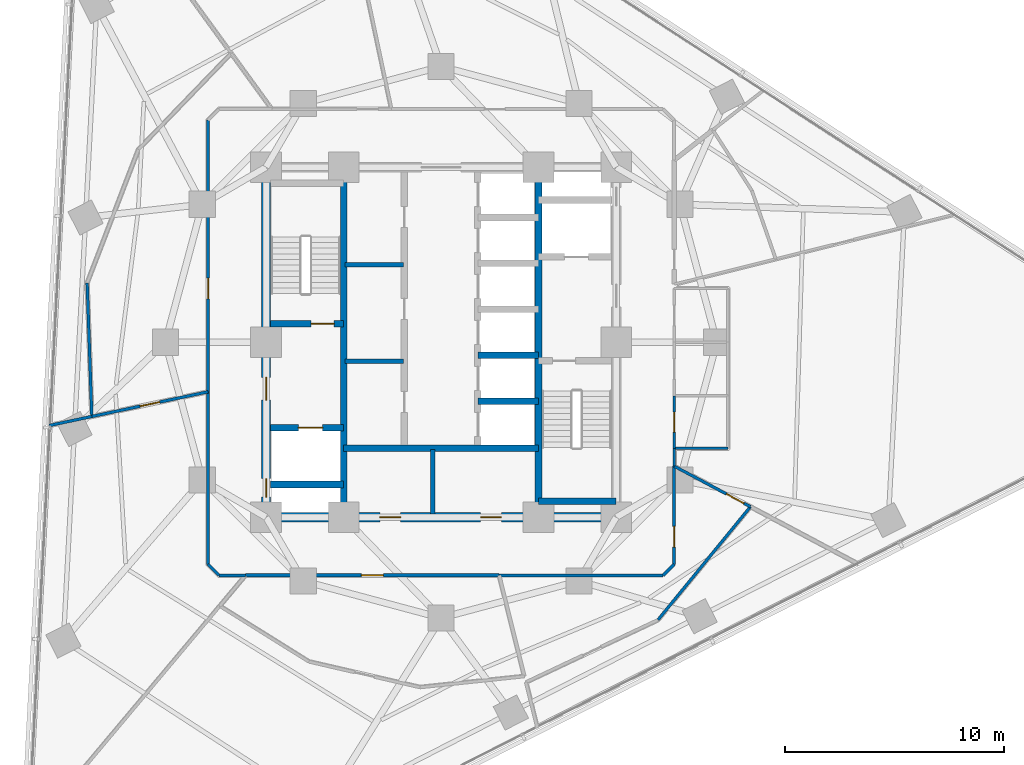
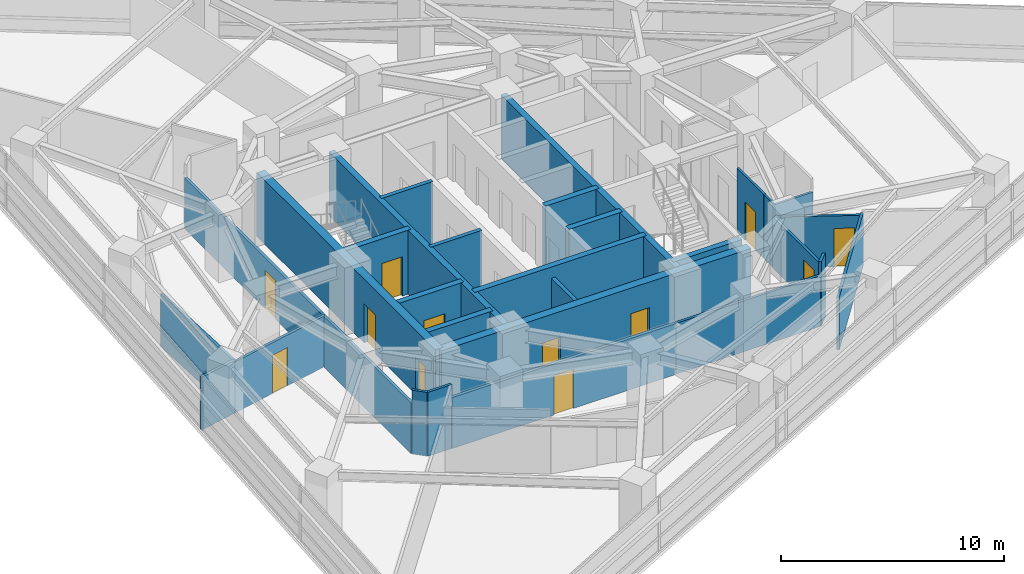
# One storey, part 8 of 14: 30 walls, 12 doors, 12 openings.
"""IFC4 building model written with IfcOpenShell, lengths in metres."""

from ifc_helpers import new_model, si_unit, direction, frame, frame_2d, origin, place, context, subcontext, project, spatial, rectangle, extrude, material, layer, layer_set, type_object, element, fill, save


model = new_model("IFC4")

# Units and contexts
model_context = context("Model", 3, precision=1e-05, world=origin(), true_north=direction((0.0, 1.0)))
body_context = subcontext(model_context, "Body", "Model", "MODEL_VIEW")
ifc_project = project(units=[si_unit("LENGTHUNIT", "METRE"), si_unit("AREAUNIT", "SQUARE_METRE"), si_unit("VOLUMEUNIT", "CUBIC_METRE"), si_unit("PLANEANGLEUNIT", "RADIAN"), si_unit("MASSUNIT", "GRAM", prefix="KILO")], contexts=[model_context])

# Site, building, storey
site_placement = place(None, origin())
site = spatial("IfcSite", under=ifc_project, at=site_placement, CompositionType="ELEMENT")
building_placement = place(site_placement, origin())
building = spatial("IfcBuilding", under=site, at=building_placement, Name="Terralouvre Media Tower", CompositionType="ELEMENT")
storey_placement = place(building_placement, frame((0.0, 0.0, 127.300048828125)))
storey = spatial("IfcBuildingStorey", under=building, at=storey_placement, Name="L32", CompositionType="ELEMENT", Elevation=127.300048828125)

# Walls
ifc_material_1 = material(Name="Concrete C50/60", Category="concrete")
ifc_layer_1 = layer(ifc_material_1, 0.300048828125, Name="Core Internal Shaft Wall CW-300")
ifc_layer_set_1 = layer_set([ifc_layer_1], Name="Concrete C50/60")
wall_type_1 = type_object("IfcWallType", Name="Core Internal Shaft Wall CW-300", PredefinedType="SHEAR", material=ifc_layer_set_1)
for number, where, z_axis, x_axis, name in (
    (1, (-4.449951171875, -7.7900390625, 0.0), (0.0, 0.0, 1.0), (0.0, 1.0, 0.0), "L32 Core Shaft Wall SPW"),
    (2, (4.449951171875, -7.7900390625, 0.0), (0.0, 0.0, 1.0), (0.0, 1.0, 0.0), "L32 Core Shaft Wall SPE"),
):
    element("IfcWall", number, at=place(storey_placement, frame(where, z_axis=z_axis, x_axis=x_axis)), inside=storey, type_object=wall_type_1, Name=name, PredefinedType="SHEAR", context=body_context, shape_type="SweptSolid", body=[
        extrude(rectangle(XDim=15.580078125, YDim=0.300048828125, at=frame_2d((7.7900390625, 0.0))), origin(), (0.0, 0.0, 1.0), 3.5),
    ])

# Wall, opening, door
wall_1_placement = place(storey_placement, frame((-7.7900390625, 0.85009765625, 0.0), z_axis=(0.0, 0.0, 1.0), x_axis=(1.0, 0.0, 0.0)))
wall_1 = element("IfcWall", 3, at=wall_1_placement, inside=storey, type_object=wall_type_1, Name="L32 Core Shaft Wall ST1D", PredefinedType="SHEAR", context=body_context, shape_type="SweptSolid", body=[
    extrude(rectangle(XDim=3.340087890625, YDim=0.300048828125, at=frame_2d((1.669921875, 0.0))), origin(), (0.0, 0.0, 1.0), 3.5),
])
opening_1_placement = place(wall_1_placement, frame((1.85009765625, 0.0, 0.0)))
opening_1 = element("IfcOpeningElement", 4, at=opening_1_placement, cuts=wall_1, Name="Opening FD-01-105X215", PredefinedType="OPENING", context=body_context, shape_type="SweptSolid", body=[
    extrude(rectangle(XDim=1.050048828125, YDim=2.14990234375, at=frame_2d((0.52490234375, 1.074951171875))), frame((0.0, 0.159912109375, 0.0), z_axis=(0.0, -1.0, 0.0), x_axis=(1.0, 0.0, 0.0)), (0.0, 0.0, 1.0), 0.320068359375),
])
ifc_material_2 = material(Name="Galvanised steel fire-resisting leaf", Category="steel")
door_type_1 = type_object("IfcDoorType", Name="Stair and Firefighting Lobby Fire Door FD-01 (1050x2150)", OperationType="NOTDEFINED", PredefinedType="DOOR", material=ifc_material_2)
door_1_placement = place(opening_1_placement, origin())
door_1 = element("IfcDoor", 5, at=door_1_placement, inside=storey, type_object=door_type_1, Name="L32 ST-01 Exit Stair Door", OperationType="SINGLE_SWING_LEFT", OverallHeight=2.14990234375, OverallWidth=1.050048828125, PredefinedType="DOOR", context=body_context, shape_type="SweptSolid", body=[
    extrude(rectangle(XDim=1.050048828125, YDim=2.14990234375, at=frame_2d((0.52490234375, 1.074951171875))), frame((0.0, 0.02490234375, 0.0), z_axis=(0.0, -1.0, 0.0), x_axis=(1.0, 0.0, 0.0)), (0.0, 0.0, 1.0), 0.050048828125),
])
fill(opening_1, door_1)

# Wall
wall_2_placement = place(storey_placement, frame((4.449951171875, -7.260009765625, 0.0), z_axis=(0.0, 0.0, 1.0), x_axis=(1.0, 0.0, 0.0)))
element("IfcWall", 6, at=wall_2_placement, inside=storey, type_object=wall_type_1, Name="L32 Core Shaft Wall ST2F", PredefinedType="SHEAR", context=body_context, shape_type="SweptSolid", body=[
    extrude(rectangle(XDim=3.550048828125, YDim=0.300048828125, at=frame_2d((1.77490234375, 0.0))), origin(), (0.0, 0.0, 1.0), 3.5),
])

# Wall, opening, door
wall_3_placement = place(storey_placement, frame((-7.7900390625, -3.89990234375, 0.0), z_axis=(0.0, 0.0, 1.0), x_axis=(1.0, 0.0, 0.0)))
wall_3 = element("IfcWall", 7, at=wall_3_placement, inside=storey, type_object=wall_type_1, Name="L32 Core Shaft Wall FF1N", PredefinedType="SHEAR", context=body_context, shape_type="SweptSolid", body=[
    extrude(rectangle(XDim=3.340087890625, YDim=0.300048828125, at=frame_2d((1.669921875, 0.0))), origin(), (0.0, 0.0, 1.0), 3.5),
])
opening_2_placement = place(wall_3_placement, frame((1.27001953125, 0.0, 0.0)))
opening_2 = element("IfcOpeningElement", 8, at=opening_2_placement, cuts=wall_3, Name="Opening LD-FF", PredefinedType="OPENING", context=body_context, shape_type="SweptSolid", body=[
    extrude(rectangle(XDim=1.10009765625, YDim=2.10009765625, at=frame_2d((0.550048828125, 1.050048828125))), frame((0.0, 0.159912109375, 0.0), z_axis=(0.0, -1.0, 0.0), x_axis=(1.0, 0.0, 0.0)), (0.0, 0.0, 1.0), 0.320068359375),
])
ifc_material_3 = material(Name="Stainless steel 316 handrail and balustrade", Category="steel")
door_type_2 = type_object("IfcDoorType", Name="Firefighting Lift Sliding Landing Door LD-FF", OperationType="SLIDING_TO_LEFT", PredefinedType="DOOR", material=ifc_material_3)
door_2_placement = place(opening_2_placement, origin())
door_2 = element("IfcDoor", 9, at=door_2_placement, inside=storey, type_object=door_type_2, Name="L32 Firefighting Lift FFL-01 Landing Door", OperationType="SLIDING_TO_LEFT", OverallHeight=2.10009765625, OverallWidth=1.10009765625, PredefinedType="DOOR", context=body_context, shape_type="SweptSolid", body=[
    extrude(rectangle(XDim=1.10009765625, YDim=2.10009765625, at=frame_2d((0.550048828125, 1.050048828125))), frame((0.0, 0.02490234375, 0.0), z_axis=(0.0, -1.0, 0.0), x_axis=(1.0, 0.0, 0.0)), (0.0, 0.0, 1.0), 0.050048828125),
])
fill(opening_2, door_2)

# Walls
wall_4_placement = place(storey_placement, frame((-7.7900390625, -6.5, 0.0), z_axis=(0.0, 0.0, 1.0), x_axis=(1.0, 0.0, 0.0)))
element("IfcWall", 10, at=wall_4_placement, inside=storey, type_object=wall_type_1, Name="L32 Core Shaft Wall FF1S", PredefinedType="SHEAR", context=body_context, shape_type="SweptSolid", body=[
    extrude(rectangle(XDim=3.340087890625, YDim=0.300048828125, at=frame_2d((1.669921875, 0.0))), origin(), (0.0, 0.0, 1.0), 3.5),
])
wall_5_placement = place(storey_placement, frame((-4.449951171875, -4.85009765625, 0.0), z_axis=(0.0, 0.0, 1.0), x_axis=(1.0, 0.0, 0.0)))
element("IfcWall", 11, at=wall_5_placement, inside=storey, type_object=wall_type_1, Name="L32 Core Shaft Wall CSBN", PredefinedType="SHEAR", context=body_context, shape_type="SweptSolid", body=[
    extrude(rectangle(XDim=8.89990234375, YDim=0.300048828125, at=frame_2d((4.449951171875, 0.0))), origin(), (0.0, 0.0, 1.0), 3.5),
])
for number, where, z_axis, x_axis, name in (
    (12, (1.679931640625, -2.699951171875, 0.0), (0.0, 0.0, 1.0), (1.0, 0.0, 0.0), "L32 Core Shaft Wall PLHD1"),
    (13, (1.679931640625, -0.60009765625, 0.0), (0.0, 0.0, 1.0), (1.0, 0.0, 0.0), "L32 Core Shaft Wall PLHD2"),
):
    element("IfcWall", number, at=place(storey_placement, frame(where, z_axis=z_axis, x_axis=x_axis)), inside=storey, type_object=wall_type_1, Name=name, PredefinedType="SHEAR", context=body_context, shape_type="SweptSolid", body=[
        extrude(rectangle(XDim=2.77001953125, YDim=0.300048828125, at=frame_2d((1.385009765625, 0.0))), origin(), (0.0, 0.0, 1.0), 3.5),
    ])

# Wall, openings, doors
ifc_material_4 = material(Name="Concrete C60/75", Category="concrete")
ifc_layer_2 = layer(ifc_material_4, 0.419921875, Name="Core Reinforced Concrete Shear Wall CW-420")
ifc_layer_set_2 = layer_set([ifc_layer_2], Name="Concrete C60/75")
wall_type_2 = type_object("IfcWallType", Name="Core Reinforced Concrete Shear Wall CW-420", PredefinedType="SHEAR", material=ifc_layer_set_2)
wall_6_placement = place(storey_placement, frame((-8.0, -8.0, 0.0), z_axis=(0.0, 0.0, 1.0), x_axis=(0.0, 1.0, 0.0)))
wall_6 = element("IfcWall", 14, at=wall_6_placement, inside=storey, type_object=wall_type_2, Name="L32 W Core Shear Wall", PredefinedType="SHEAR", context=body_context, shape_type="SweptSolid", body=[
    extrude(rectangle(XDim=16.0, YDim=0.419921875, at=frame_2d((8.0, 0.0))), origin(), (0.0, 0.0, 1.0), 3.5),
])
opening_3_placement = place(wall_6_placement, frame((0.921630859375, 0.0, 0.0)))
opening_3 = element("IfcOpeningElement", 15, at=opening_3_placement, cuts=wall_6, Name="Opening TD-R1", PredefinedType="OPENING", context=body_context, shape_type="SweptSolid", body=[
    extrude(rectangle(XDim=0.85009765625, YDim=2.02001953125, at=frame_2d((0.425048828125, 1.010009765625))), frame((0.0, 0.219970703125, 0.0), z_axis=(0.0, -1.0, 0.0), x_axis=(1.0, 0.0, 0.0)), (0.0, 0.0, 1.0), 0.43994140625),
])
opening_4_placement = place(wall_6_placement, frame((5.35009765625, 0.0, 0.0)))
opening_4 = element("IfcOpeningElement", 16, at=opening_4_placement, cuts=wall_6, Name="Opening FD-01-105X215", PredefinedType="OPENING", context=body_context, shape_type="SweptSolid", body=[
    extrude(rectangle(XDim=1.050048828125, YDim=2.14990234375, at=frame_2d((0.52490234375, 1.074951171875))), frame((0.0, 0.219970703125, 0.0), z_axis=(0.0, -1.0, 0.0), x_axis=(1.0, 0.0, 0.0)), (0.0, 0.0, 1.0), 0.43994140625),
])
ifc_material_5 = material(Name="Galvanised steel fire-resisting leaf", Category="steel")
door_type_3 = type_object("IfcDoorType", Name="Riser Inspection Access Trapdoor TD-R1", OperationType="NOTDEFINED", PredefinedType="TRAPDOOR", material=ifc_material_5)
door_3_placement = place(opening_3_placement, origin())
door_3 = element("IfcDoor", 17, at=door_3_placement, inside=storey, type_object=door_type_3, Name="L32 Wet Riser Access Trapdoor", OperationType="SINGLE_SWING_LEFT", OverallHeight=2.02001953125, OverallWidth=0.85009765625, PredefinedType="TRAPDOOR", context=body_context, shape_type="SweptSolid", body=[
    extrude(rectangle(XDim=0.85009765625, YDim=2.02001953125, at=frame_2d((0.425048828125, 1.010009765625))), frame((0.0, 0.02490234375, 0.0), z_axis=(0.0, -1.0, 0.0), x_axis=(1.0, 0.0, 0.0)), (0.0, 0.0, 1.0), 0.050048828125),
])
fill(opening_3, door_3)
door_4_placement = place(opening_4_placement, origin())
door_4 = element("IfcDoor", 18, at=door_4_placement, inside=storey, type_object=door_type_1, Name="L32 West Firefighting Lobby Entry Door", OperationType="SINGLE_SWING_RIGHT", OverallHeight=2.14990234375, OverallWidth=1.050048828125, PredefinedType="DOOR", context=body_context, shape_type="SweptSolid", body=[
    extrude(rectangle(XDim=1.050048828125, YDim=2.14990234375, at=frame_2d((0.52490234375, 1.074951171875))), frame((0.0, 0.02490234375, 0.0), z_axis=(0.0, -1.0, 0.0), x_axis=(1.0, 0.0, 0.0)), (0.0, 0.0, 1.0), 0.050048828125),
])
fill(opening_4, door_4)

wall_7_placement = place(storey_placement, frame((-8.0, -8.0, 0.0), z_axis=(0.0, 0.0, 1.0), x_axis=(1.0, 0.0, 0.0)))
wall_7 = element("IfcWall", 19, at=wall_7_placement, inside=storey, type_object=wall_type_2, Name="L32 S Core Shear Wall", PredefinedType="SHEAR", context=body_context, shape_type="SweptSolid", body=[
    extrude(rectangle(XDim=16.0, YDim=0.419921875, at=frame_2d((8.0, 0.0))), origin(), (0.0, 0.0, 1.0), 3.5),
])
opening_5_placement = place(wall_7_placement, frame((5.199951171875, 0.0, 0.0)))
opening_5 = element("IfcOpeningElement", 20, at=opening_5_placement, cuts=wall_7, Name="Opening FD-02-95X210", PredefinedType="OPENING", context=body_context, shape_type="SweptSolid", body=[
    extrude(rectangle(XDim=0.949951171875, YDim=2.10009765625, at=frame_2d((0.47509765625, 1.050048828125))), frame((0.0, 0.219970703125, 0.0), z_axis=(0.0, -1.0, 0.0), x_axis=(1.0, 0.0, 0.0)), (0.0, 0.0, 1.0), 0.43994140625),
])
opening_6_placement = place(wall_7_placement, frame((9.800048828125, 0.0, 0.0)))
opening_6 = element("IfcOpeningElement", 21, at=opening_6_placement, cuts=wall_7, Name="Opening FD-02-95X210", PredefinedType="OPENING", context=body_context, shape_type="SweptSolid", body=[
    extrude(rectangle(XDim=0.949951171875, YDim=2.10009765625, at=frame_2d((0.47509765625, 1.050048828125))), frame((0.0, 0.219970703125, 0.0), z_axis=(0.0, -1.0, 0.0), x_axis=(1.0, 0.0, 0.0)), (0.0, 0.0, 1.0), 0.43994140625),
])
ifc_material_6 = material(Name="Galvanised steel fire-resisting leaf", Category="steel")
door_type_4 = type_object("IfcDoorType", Name="Plant and Riser Fire Door FD-02 (950x2100)", OperationType="NOTDEFINED", PredefinedType="DOOR", material=ifc_material_6)
door_5_placement = place(opening_5_placement, origin())
door_5 = element("IfcDoor", 22, at=door_5_placement, inside=storey, type_object=door_type_4, Name="L32 Core Valve Plant Door", OperationType="SINGLE_SWING_LEFT", OverallHeight=2.10009765625, OverallWidth=0.949951171875, PredefinedType="DOOR", context=body_context, shape_type="SweptSolid", body=[
    extrude(rectangle(XDim=0.949951171875, YDim=2.10009765625, at=frame_2d((0.47509765625, 1.050048828125))), frame((0.0, 0.02490234375, 0.0), z_axis=(0.0, -1.0, 0.0), x_axis=(1.0, 0.0, 0.0)), (0.0, 0.0, 1.0), 0.050048828125),
])
fill(opening_5, door_5)
door_6_placement = place(opening_6_placement, origin())
door_6 = element("IfcDoor", 23, at=door_6_placement, inside=storey, type_object=door_type_4, Name="L32 Core MDF Plant Door", OperationType="SINGLE_SWING_RIGHT", OverallHeight=2.10009765625, OverallWidth=0.949951171875, PredefinedType="DOOR", context=body_context, shape_type="SweptSolid", body=[
    extrude(rectangle(XDim=0.949951171875, YDim=2.10009765625, at=frame_2d((0.47509765625, 1.050048828125))), frame((0.0, 0.02490234375, 0.0), z_axis=(0.0, -1.0, 0.0), x_axis=(1.0, 0.0, 0.0)), (0.0, 0.0, 1.0), 0.050048828125),
])
fill(opening_6, door_6)

# Walls
ifc_material_7 = material(Name="Low-iron laminated double glazing with solar-control coating", Category="glass")
ifc_layer_3 = layer(ifc_material_7, 0.10009765625, Name="Demountable Glazed Office Partition PT-GL100")
ifc_layer_set_3 = layer_set([ifc_layer_3], Name="Low-iron laminated double glazing with solar-control coating")
wall_type_3 = type_object("IfcWallType", Name="Demountable Glazed Office Partition PT-GL100", PredefinedType="MOVABLE", material=ifc_layer_set_3)
wall_8_placement = place(storey_placement, frame((10.64990234375, -5.6630859375, 0.0), z_axis=(0.0, 0.0, 1.0), x_axis=(0.0, 1.0, 0.0)))
element("IfcWall", 24, at=wall_8_placement, inside=storey, type_object=wall_type_3, Name="L32 Interior Partition 010", PredefinedType="MOVABLE", context=body_context, shape_type="SweptSolid", body=[
    extrude(rectangle(XDim=0.81298828125, YDim=0.10009765625, at=frame_2d((0.406494140625, 0.0))), origin(), (0.0, 0.0, 1.0), 3.5),
])
ifc_material_8 = material(Name="Fire-rated gypsum board drywall partition")
ifc_layer_4 = layer(ifc_material_8, 0.199951171875, Name="Fire-Rated Shaft and Lobby Partition FW-200")
ifc_layer_set_4 = layer_set([ifc_layer_4], Name="Fire-rated gypsum board drywall partition")
wall_type_4 = type_object("IfcWallType", Name="Fire-Rated Shaft and Lobby Partition FW-200", PredefinedType="SOLIDWALL", material=ifc_layer_set_4)
wall_9_placement = place(storey_placement, frame((-0.3798828125, -7.85009765625, 0.0), z_axis=(0.0, 0.0, 1.0), x_axis=(0.0, 1.0, 0.0)))
element("IfcWall", 25, at=wall_9_placement, inside=storey, type_object=wall_type_4, Name="L32 Core Service Bay Partition 1", PredefinedType="SOLIDWALL", context=body_context, shape_type="SweptSolid", body=[
    extrude(rectangle(XDim=2.9501953125, YDim=0.199951171875, at=frame_2d((1.47509765625, 0.0))), origin(), (0.0, 0.0, 1.0), 2.885009765625),
])
for number, where, z_axis, x_axis, name in (
    (26, (-4.39990234375, -0.860107421875, 0.0), (0.0, 0.0, 1.0), (1.0, 0.0, 0.0), "L32 Core West Sub-Partition 1"),
    (27, (-4.39990234375, 3.5400390625, 0.0), (0.0, 0.0, 1.0), (1.0, 0.0, 0.0), "L32 Core West Sub-Partition 2"),
):
    element("IfcWall", number, at=place(storey_placement, frame(where, z_axis=z_axis, x_axis=x_axis)), inside=storey, type_object=wall_type_4, Name=name, PredefinedType="SOLIDWALL", context=body_context, shape_type="SweptSolid", body=[
        extrude(rectangle(XDim=2.679931640625, YDim=0.199951171875, at=frame_2d((1.33984375, 0.0))), origin(), (0.0, 0.0, 1.0), 3.5),
    ])
ifc_material_9 = material(Name="Fire-rated gypsum board drywall partition")
ifc_layer_5 = layer(ifc_material_9, 0.135009765625, Name="Newsroom Acoustic Partition PT-135")
ifc_layer_set_5 = layer_set([ifc_layer_5], Name="Fire-rated gypsum board drywall partition")
wall_type_5 = type_object("IfcWallType", Name="Newsroom Acoustic Partition PT-135", PredefinedType="PARTITIONING", material=ifc_layer_set_5)
wall_10_placement = place(storey_placement, frame((-10.64990234375, -2.263916015625, 0.0), z_axis=(0.0, 0.0, 1.0), x_axis=(0.0, -1.0, 0.0)))
element("IfcWall", 28, at=wall_10_placement, inside=storey, type_object=wall_type_5, Name="L32 Interior Partition 001", PredefinedType="PARTITIONING", context=body_context, shape_type="SweptSolid", body=[
    extrude(rectangle(XDim=7.885986328125, YDim=0.135009765625, at=frame_2d((3.94287109375, 0.0))), origin(), (0.0, 0.0, 1.0), 2.784912109375),
])
wall_11_placement = place(storey_placement, frame((-10.64990234375, -10.14990234375, 0.0), z_axis=(0.0, 0.0, 1.0), x_axis=(0.707106781187, -0.707106781187, 0.0)))
element("IfcWall", 29, at=wall_11_placement, inside=storey, type_object=wall_type_5, Name="L32 Interior Partition 002", PredefinedType="PARTITIONING", context=body_context, shape_type="SweptSolid", body=[
    extrude(rectangle(XDim=0.70703125, YDim=0.135009765625, at=frame_2d((0.353515625, 0.0))), origin(), (0.0, 0.0, 1.0), 3.5),
])
wall_12_placement = place(storey_placement, frame((-10.14990234375, -10.64990234375, 0.0), z_axis=(0.0, 0.0, 1.0), x_axis=(1.0, 0.0, 0.0)))
element("IfcWall", 30, at=wall_12_placement, inside=storey, type_object=wall_type_5, Name="L32 Interior Partition 003", PredefinedType="PARTITIONING", context=body_context, shape_type="SweptSolid", body=[
    extrude(rectangle(XDim=1.2138671875, YDim=0.135009765625, at=frame_2d((0.60693359375, 0.0))), origin(), (0.0, 0.0, 1.0), 3.5),
])
wall_13_placement = place(storey_placement, frame((2.655029296875, -10.64990234375, 0.0), z_axis=(0.0, 0.0, 1.0), x_axis=(1.0, 0.0, 0.0)))
element("IfcWall", 31, at=wall_13_placement, inside=storey, type_object=wall_type_5, Name="L32 Interior Partition 005", PredefinedType="PARTITIONING", context=body_context, shape_type="SweptSolid", body=[
    extrude(rectangle(XDim=7.494873046875, YDim=0.135009765625, at=frame_2d((3.74755859375, 0.0))), origin(), (0.0, 0.0, 1.0), 2.784912109375),
])
wall_14_placement = place(storey_placement, frame((10.14990234375, -10.64990234375, 0.0), z_axis=(0.0, 0.0, 1.0), x_axis=(0.707106781187, 0.707106781187, 0.0)))
element("IfcWall", 32, at=wall_14_placement, inside=storey, type_object=wall_type_5, Name="L32 Interior Partition 006", PredefinedType="PARTITIONING", context=body_context, shape_type="SweptSolid", body=[
    extrude(rectangle(XDim=0.70703125, YDim=0.135009765625, at=frame_2d((0.353515625, 0.0))), origin(), (0.0, 0.0, 1.0), 3.5),
])

# Wall, opening, door
wall_15_placement = place(storey_placement, frame((10.64990234375, -10.14990234375, 0.0), z_axis=(0.0, 0.0, 1.0), x_axis=(0.0, 1.0, 0.0)))
wall_15 = element("IfcWall", 33, at=wall_15_placement, inside=storey, type_object=wall_type_5, Name="L32 Interior Partition 007", PredefinedType="PARTITIONING", context=body_context, shape_type="SweptSolid", body=[
    extrude(rectangle(XDim=4.48681640625, YDim=0.135009765625, at=frame_2d((2.243408203125, 0.0))), origin(), (0.0, 0.0, 1.0), 2.784912109375),
])
opening_7_placement = place(wall_15_placement, frame((0.781494140625, 0.0, 0.0)))
opening_7 = element("IfcOpeningElement", 34, at=opening_7_placement, cuts=wall_15, Name="Opening ID-02-95X210", PredefinedType="OPENING", context=body_context, shape_type="SweptSolid", body=[
    extrude(rectangle(XDim=0.949951171875, YDim=2.10009765625, at=frame_2d((0.47509765625, 1.050048828125))), frame((0.0, 0.077392578125, 0.0), z_axis=(0.0, -1.0, 0.0), x_axis=(1.0, 0.0, 0.0)), (0.0, 0.0, 1.0), 0.155029296875),
])
ifc_material_10 = material(Name="Engineered hardwood acoustic timber leaf", Category="wood")
door_type_5 = type_object("IfcDoorType", Name="Office and Meeting Room Door ID-02 (950x2100)", OperationType="NOTDEFINED", PredefinedType="DOOR", material=ifc_material_10)
door_7_placement = place(opening_7_placement, origin())
door_7 = element("IfcDoor", 35, at=door_7_placement, inside=storey, type_object=door_type_5, Name="L32 Meteorology Graphics Open Office 4 Door", OperationType="SINGLE_SWING_LEFT", OverallHeight=2.10009765625, OverallWidth=0.949951171875, PredefinedType="DOOR", context=body_context, shape_type="SweptSolid", body=[
    extrude(rectangle(XDim=0.949951171875, YDim=2.10009765625, at=frame_2d((0.47509765625, 1.050048828125))), frame((0.0, 0.02490234375, 0.0), z_axis=(0.0, -1.0, 0.0), x_axis=(1.0, 0.0, 0.0)), (0.0, 0.0, 1.0), 0.050048828125),
])
fill(opening_7, door_7)

wall_16_placement = place(storey_placement, frame((-10.64990234375, 10.14990234375, 0.0), z_axis=(0.0, 0.0, 1.0), x_axis=(0.0, -1.0, 0.0)))
wall_16 = element("IfcWall", 36, at=wall_16_placement, inside=storey, type_object=wall_type_5, Name="L32 Interior Partition 019", PredefinedType="PARTITIONING", context=body_context, shape_type="SweptSolid", body=[
    extrude(rectangle(XDim=12.413818359375, YDim=0.135009765625, at=frame_2d((6.20703125, 0.0))), origin(), (0.0, 0.0, 1.0), 2.784912109375),
])
opening_8_placement = place(wall_16_placement, frame((7.2216796875, 0.0, 0.0)))
opening_8 = element("IfcOpeningElement", 37, at=opening_8_placement, cuts=wall_16, Name="Opening ID-02-95X210", PredefinedType="OPENING", context=body_context, shape_type="SweptSolid", body=[
    extrude(rectangle(XDim=0.949951171875, YDim=2.10009765625, at=frame_2d((0.47509765625, 1.050048828125))), frame((0.0, 0.077392578125, 0.0), z_axis=(0.0, -1.0, 0.0), x_axis=(1.0, 0.0, 0.0)), (0.0, 0.0, 1.0), 0.155029296875),
])
door_8_placement = place(opening_8_placement, origin())
door_8 = element("IfcDoor", 38, at=door_8_placement, inside=storey, type_object=door_type_5, Name="L32 Sports Desk Workspace 12 Door", OperationType="SINGLE_SWING_RIGHT", OverallHeight=2.10009765625, OverallWidth=0.949951171875, PredefinedType="DOOR", context=body_context, shape_type="SweptSolid", body=[
    extrude(rectangle(XDim=0.949951171875, YDim=2.10009765625, at=frame_2d((0.47509765625, 1.050048828125))), frame((0.0, 0.02490234375, 0.0), z_axis=(0.0, -1.0, 0.0), x_axis=(1.0, 0.0, 0.0)), (0.0, 0.0, 1.0), 0.050048828125),
])
fill(opening_8, door_8)

# Wall
wall_17_placement = place(storey_placement, frame((-15.9619140625, -3.39306640625, 0.0), z_axis=(0.0, 0.0, 1.0), x_axis=(-0.978224349737, -0.207550286874, 0.0)))
element("IfcWall", 39, at=wall_17_placement, inside=storey, type_object=wall_type_5, Name="L32 Interior Partition 022", PredefinedType="PARTITIONING", context=body_context, shape_type="SweptSolid", body=[
    extrude(rectangle(XDim=1.997314453125, YDim=0.135009765625, at=frame_2d((0.99853515625, 0.0))), origin(), (0.0, 0.0, 1.0), 2.885009765625),
])

# Wall, opening, door
wall_18_placement = place(storey_placement, frame((-10.64990234375, -2.263916015625, 0.0), z_axis=(0.0, 0.0, 1.0), x_axis=(-0.978145824013, -0.207920049456, 0.0)))
wall_18 = element("IfcWall", 40, at=wall_18_placement, inside=storey, type_object=wall_type_5, Name="L32 Interior Partition 023", PredefinedType="PARTITIONING", context=body_context, shape_type="SweptSolid", body=[
    extrude(rectangle(XDim=5.4306640625, YDim=0.135009765625, at=frame_2d((2.71533203125, 0.0))), origin(), (0.0, 0.0, 1.0), 2.784912109375),
])
opening_9_placement = place(wall_18_placement, frame((2.25537109375, 0.0, 0.0)))
opening_9 = element("IfcOpeningElement", 41, at=opening_9_placement, cuts=wall_18, Name="Opening ID-03-92X210", PredefinedType="OPENING", context=body_context, shape_type="SweptSolid", body=[
    extrude(rectangle(XDim=0.919921875, YDim=2.10009765625, at=frame_2d((0.4599609375, 1.050048828125))), frame((0.0, 0.077392578125, 0.0), z_axis=(0.0, -1.0, 0.0), x_axis=(1.0, 0.0, 0.0)), (0.0, 0.0, 1.0), 0.155029296875),
])
ifc_material_11 = material(Name="Engineered hardwood acoustic timber leaf", Category="wood")
door_type_6 = type_object("IfcDoorType", Name="Accessible Restroom and Suite Door ID-03 (920x2100)", OperationType="NOTDEFINED", PredefinedType="DOOR", material=ifc_material_11)
door_9_placement = place(opening_9_placement, origin())
door_9 = element("IfcDoor", 42, at=door_9_placement, inside=storey, type_object=door_type_6, Name="L32 OB Coordination Crew Room 1 Door", OperationType="SINGLE_SWING_LEFT", OverallHeight=2.10009765625, OverallWidth=0.919921875, PredefinedType="DOOR", context=body_context, shape_type="SweptSolid", body=[
    extrude(rectangle(XDim=0.919921875, YDim=2.10009765625, at=frame_2d((0.4599609375, 1.050048828125))), frame((0.0, 0.02490234375, 0.0), z_axis=(0.0, -1.0, 0.0), x_axis=(1.0, 0.0, 0.0)), (0.0, 0.0, 1.0), 0.050048828125),
])
fill(opening_9, door_9)

# Wall
wall_19_placement = place(storey_placement, frame((9.912109375, -12.68701171875, 0.0), z_axis=(0.0, 0.0, 1.0), x_axis=(0.632781686385, 0.774330250846, 0.0)))
element("IfcWall", 43, at=wall_19_placement, inside=storey, type_object=wall_type_5, Name="L32 Interior Partition 030", PredefinedType="PARTITIONING", context=body_context, shape_type="SweptSolid", body=[
    extrude(rectangle(XDim=6.6767578125, YDim=0.135009765625, at=frame_2d((3.33837890625, 0.0))), origin(), (0.0, 0.0, 1.0), 2.885009765625),
])

# Wall, opening, door
wall_20_placement = place(storey_placement, frame((14.136962890625, -7.51708984375, 0.0), z_axis=(0.0, 0.0, 1.0), x_axis=(-0.882957991608, 0.46945200506, 0.0)))
wall_20 = element("IfcWall", 44, at=wall_20_placement, inside=storey, type_object=wall_type_5, Name="L32 Interior Partition 031", PredefinedType="PARTITIONING", context=body_context, shape_type="SweptSolid", body=[
    extrude(rectangle(XDim=3.94921875, YDim=0.135009765625, at=frame_2d((1.974609375, 0.0))), origin(), (0.0, 0.0, 1.0), 2.784912109375),
])
opening_10_placement = place(wall_20_placement, frame((0.329833984375, 0.0, 0.0)))
opening_10 = element("IfcOpeningElement", 45, at=opening_10_placement, cuts=wall_20, Name="Opening ID-03-92X210", PredefinedType="OPENING", context=body_context, shape_type="SweptSolid", body=[
    extrude(rectangle(XDim=0.919921875, YDim=2.10009765625, at=frame_2d((0.4599609375, 1.050048828125))), frame((0.0, 0.077392578125, 0.0), z_axis=(0.0, -1.0, 0.0), x_axis=(1.0, 0.0, 0.0)), (0.0, 0.0, 1.0), 0.155029296875),
])
door_10_placement = place(opening_10_placement, origin())
door_10 = element("IfcDoor", 46, at=door_10_placement, inside=storey, type_object=door_type_6, Name="L32 Event Planning Conference Room 6 Door", OperationType="SINGLE_SWING_RIGHT", OverallHeight=2.10009765625, OverallWidth=0.919921875, PredefinedType="DOOR", context=body_context, shape_type="SweptSolid", body=[
    extrude(rectangle(XDim=0.919921875, YDim=2.10009765625, at=frame_2d((0.4599609375, 1.050048828125))), frame((0.0, 0.02490234375, 0.0), z_axis=(0.0, -1.0, 0.0), x_axis=(1.0, 0.0, 0.0)), (0.0, 0.0, 1.0), 0.050048828125),
])
fill(opening_10, door_10)

# Wall
wall_21_placement = place(storey_placement, frame((-15.9619140625, -3.39306640625, 0.0), z_axis=(0.0, 0.0, 1.0), x_axis=(-0.034918259019, 0.999390171648, 0.0)))
element("IfcWall", 47, at=wall_21_placement, inside=storey, type_object=wall_type_5, Name="L32 Interior Partition 049", PredefinedType="PARTITIONING", context=body_context, shape_type="SweptSolid", body=[
    extrude(rectangle(XDim=6.103759765625, YDim=0.135009765625, at=frame_2d((3.0517578125, 0.0))), origin(), (0.0, 0.0, 1.0), 2.885009765625),
])

# Wall, opening, door
ifc_material_12 = material(Name="Fire-rated gypsum board drywall partition")
ifc_layer_6 = layer(ifc_material_12, 0.114990234375, Name="Restroom and Pantry Partition PT-115")
ifc_layer_set_6 = layer_set([ifc_layer_6], Name="Fire-rated gypsum board drywall partition")
wall_type_6 = type_object("IfcWallType", Name="Restroom and Pantry Partition PT-115", PredefinedType="PARTITIONING", material=ifc_layer_set_6)
wall_22_placement = place(storey_placement, frame((10.64990234375, -4.85009765625, 0.0), z_axis=(0.0, 0.0, 1.0), x_axis=(0.0, 1.0, 0.0)))
wall_22 = element("IfcWall", 48, at=wall_22_placement, inside=storey, type_object=wall_type_6, Name="L32 Interior Partition 008", PredefinedType="PARTITIONING", context=body_context, shape_type="SweptSolid", body=[
    extrude(rectangle(XDim=2.400146484375, YDim=0.114990234375, at=frame_2d((1.2001953125, 0.0))), origin(), (0.0, 0.0, 1.0), 3.5),
])
opening_11_placement = place(wall_22_placement, frame((0.739990234375, 0.0, 0.0)))
opening_11 = element("IfcOpeningElement", 49, at=opening_11_placement, cuts=wall_22, Name="Opening ID-03-92X210", PredefinedType="OPENING", context=body_context, shape_type="SweptSolid", body=[
    extrude(rectangle(XDim=0.919921875, YDim=2.10009765625, at=frame_2d((0.4599609375, 1.050048828125))), frame((0.0, 0.0673828125, 0.0), z_axis=(0.0, -1.0, 0.0), x_axis=(1.0, 0.0, 0.0)), (0.0, 0.0, 1.0), 0.135009765625),
])
door_11_placement = place(opening_11_placement, origin())
door_11 = element("IfcDoor", 50, at=door_11_placement, inside=storey, type_object=door_type_6, Name="L32 Male Restroom WC Door", OperationType="SINGLE_SWING_RIGHT", OverallHeight=2.10009765625, OverallWidth=0.919921875, PredefinedType="DOOR", context=body_context, shape_type="SweptSolid", body=[
    extrude(rectangle(XDim=0.919921875, YDim=2.10009765625, at=frame_2d((0.4599609375, 1.050048828125))), frame((0.0, 0.02490234375, 0.0), z_axis=(0.0, -1.0, 0.0), x_axis=(1.0, 0.0, 0.0)), (0.0, 0.0, 1.0), 0.050048828125),
])
fill(opening_11, door_11)

# Wall
wall_23_placement = place(storey_placement, frame((10.64990234375, -4.85009765625, 0.0), z_axis=(0.0, 0.0, 1.0), x_axis=(1.0, 0.0, 0.0)))
element("IfcWall", 51, at=wall_23_placement, inside=storey, type_object=wall_type_6, Name="L32 Interior Partition 034", PredefinedType="PARTITIONING", context=body_context, shape_type="SweptSolid", body=[
    extrude(rectangle(XDim=2.4501953125, YDim=0.114990234375, at=frame_2d((1.22509765625, 0.0))), origin(), (0.0, 0.0, 1.0), 2.784912109375),
])

# Wall, opening, door
ifc_material_13 = material(Name="Fire-rated gypsum board drywall partition")
ifc_layer_7 = layer(ifc_material_13, 0.159912109375, Name="Studio Acoustic Rated Partition PT-160")
ifc_layer_set_7 = layer_set([ifc_layer_7], Name="Fire-rated gypsum board drywall partition")
wall_type_7 = type_object("IfcWallType", Name="Studio Acoustic Rated Partition PT-160", PredefinedType="PARTITIONING", material=ifc_layer_set_7)
wall_24_placement = place(storey_placement, frame((-8.93603515625, -10.64990234375, 0.0), z_axis=(0.0, 0.0, 1.0), x_axis=(1.0, 0.0, 0.0)))
wall_24 = element("IfcWall", 52, at=wall_24_placement, inside=storey, type_object=wall_type_7, Name="L32 Interior Partition 004", PredefinedType="PARTITIONING", context=body_context, shape_type="SweptSolid", body=[
    extrude(rectangle(XDim=11.591064453125, YDim=0.159912109375, at=frame_2d((5.79541015625, 0.0))), origin(), (0.0, 0.0, 1.0), 2.784912109375),
])
opening_12_placement = place(wall_24_placement, frame((5.29541015625, 0.0, 0.0)))
opening_12 = element("IfcOpeningElement", 53, at=opening_12_placement, cuts=wall_24, Name="Opening ID-01-100X215", PredefinedType="OPENING", context=body_context, shape_type="SweptSolid", body=[
    extrude(rectangle(XDim=1.0, YDim=2.14990234375, at=frame_2d((0.5, 1.074951171875))), frame((0.0, 0.08984375, 0.0), z_axis=(0.0, -1.0, 0.0), x_axis=(1.0, 0.0, 0.0)), (0.0, 0.0, 1.0), 0.179931640625),
])
ifc_material_14 = material(Name="Engineered hardwood acoustic timber leaf", Category="wood")
door_type_7 = type_object("IfcDoorType", Name="Broadcast Studio Acoustic Single Door ID-01 (1000x2150)", OperationType="NOTDEFINED", PredefinedType="DOOR", material=ifc_material_14)
door_12_placement = place(opening_12_placement, origin())
door_12 = element("IfcDoor", 54, at=door_12_placement, inside=storey, type_object=door_type_7, Name="L32 Sports Commentary Control Room 3 Door", OperationType="SINGLE_SWING_RIGHT", OverallHeight=2.14990234375, OverallWidth=1.0, PredefinedType="DOOR", context=body_context, shape_type="SweptSolid", body=[
    extrude(rectangle(XDim=1.0, YDim=2.14990234375, at=frame_2d((0.5, 1.074951171875))), frame((0.0, 0.02490234375, 0.0), z_axis=(0.0, -1.0, 0.0), x_axis=(1.0, 0.0, 0.0)), (0.0, 0.0, 1.0), 0.050048828125),
])
fill(opening_12, door_12)

save(model, "model.ifc")
